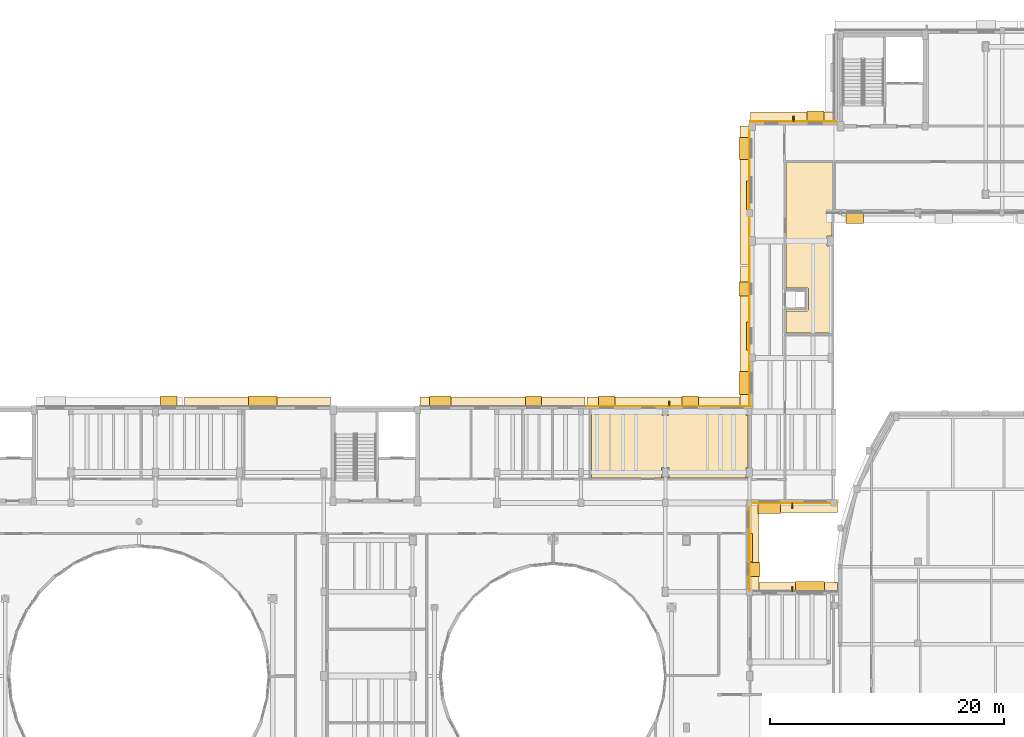
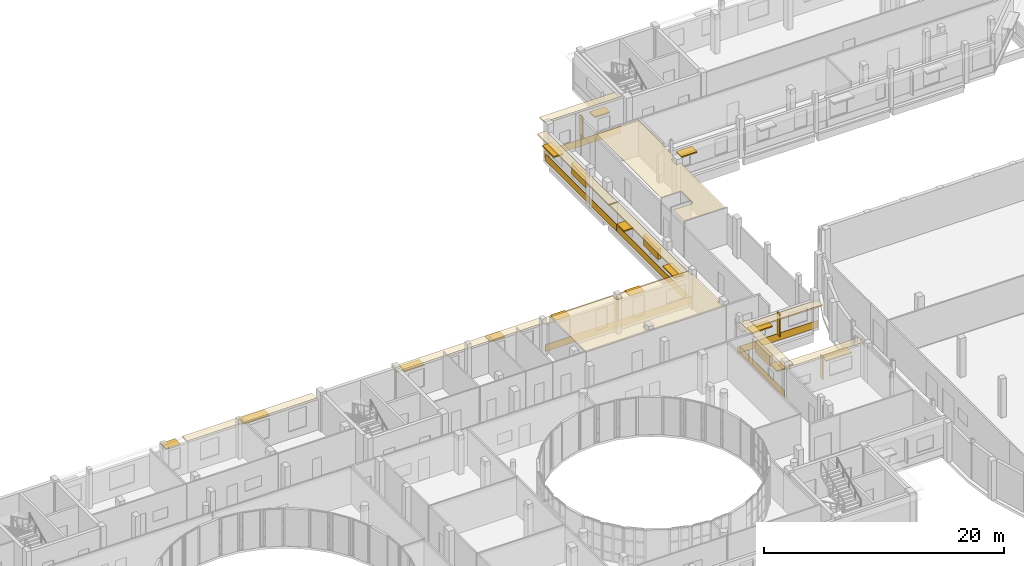
# One storey, part 101 of 105: 21 shading devices, 17 coverings.
"""IFC4 building model written with IfcOpenShell, lengths in metres."""

from ifc_helpers import new_model, si_unit, direction, frame, origin, origin_2d, place, context, subcontext, project, spatial, polyline, rectangle, outline, extrude, material, layer, layer_set, type_object, element, save


model = new_model("IFC4")

# Units and contexts
model_context = context("Model", 3, precision=1e-05, world=origin(), true_north=direction((0.0, 1.0)))
body_context = subcontext(model_context, "Body", "Model", "MODEL_VIEW")
ifc_project = project(units=[si_unit("LENGTHUNIT", "METRE"), si_unit("AREAUNIT", "SQUARE_METRE"), si_unit("VOLUMEUNIT", "CUBIC_METRE"), si_unit("PLANEANGLEUNIT", "RADIAN"), si_unit("MASSUNIT", "GRAM", prefix="KILO")], contexts=[model_context])

# Site, building, storey
site_placement = place(None, origin())
site = spatial("IfcSite", under=ifc_project, at=site_placement, CompositionType="ELEMENT")
building_placement = place(site_placement, origin())
building = spatial("IfcBuilding", under=site, at=building_placement, Name="Kelanivale Promenade Academy", CompositionType="ELEMENT")
storey_placement = place(building_placement, frame((0.0, 0.0, 4.199951171875)))
storey = spatial("IfcBuildingStorey", under=building, at=storey_placement, Name="L01", CompositionType="ELEMENT", Elevation=4.199951171875)

# Coverings
ifc_material_1 = material(Name="Warm ivory Art Deco stucco frieze band 40 mm", Category="masonry")
ifc_layer_1 = layer(ifc_material_1, 0.0400390625)
ifc_layer_set_1 = layer_set([ifc_layer_1], Name="Warm ivory Art Deco stucco frieze band 40 mm")
covering_type_1 = type_object("IfcCoveringType", Name="COV-CLD2 Warm ivory Art Deco stucco frieze ba", PredefinedType="CLADDING", material=ifc_layer_set_1)
covering_1_placement = place(storey_placement, frame((119.260009765625, 64.39990234375, 3.0), z_axis=(0.0, 0.0, 1.0), x_axis=(-1.0, 0.0, 0.0)))
element("IfcCovering", 1, at=covering_1_placement, inside=storey, type_object=covering_type_1, Name="Art Deco projecting 820 mm streamline sunshade eyebrow ledge", PredefinedType="CLADDING", context=body_context, shape_type="SweptSolid", body=[
    extrude(rectangle(XDim=7.719970703125, YDim=0.820068359375, at=origin_2d()), origin(), (0.0, 0.0, 1.0), 0.139892578125),
])
covering_2_placement = place(storey_placement, frame((116.0, 67.800048828125, 3.115234375), z_axis=(0.0, 0.0, 1.0), x_axis=(0.0, 1.0, 0.0)))
element("IfcCovering", 2, at=covering_2_placement, inside=storey, type_object=covering_type_1, Name="Art Deco projecting 820 mm streamline sunshade eyebrow ledge", PredefinedType="CLADDING", context=body_context, shape_type="SweptSolid", body=[
    extrude(rectangle(XDim=7.43994140625, YDim=0.820068359375, at=origin_2d()), origin(), (0.0, 0.0, 1.0), 0.139892578125),
])
covering_3_placement = place(storey_placement, frame((115.614990234375, 67.800048828125, 0.06005859375), z_axis=(0.0, 0.0, 1.0), x_axis=(0.0, 1.0, 0.0)))
element("IfcCovering", 3, at=covering_3_placement, inside=storey, type_object=covering_type_1, Name="Art Deco ivory stucco sill frieze band", PredefinedType="CLADDING", context=body_context, shape_type="SweptSolid", body=[
    extrude(rectangle(XDim=7.43994140625, YDim=0.0400390625, at=origin_2d()), origin(), (0.0, 0.0, 1.0), 0.719970703125),
])
covering_4_placement = place(storey_placement, frame((119.260009765625, 71.199951171875, 2.705078125), z_axis=(0.0, 0.0, 1.0), x_axis=(1.0, 0.0, 0.0)))
element("IfcCovering", 4, at=covering_4_placement, inside=storey, type_object=covering_type_1, Name="Art Deco projecting 820 mm streamline sunshade eyebrow ledge", PredefinedType="CLADDING", context=body_context, shape_type="SweptSolid", body=[
    extrude(rectangle(XDim=7.719970703125, YDim=0.820068359375, at=origin_2d()), origin(), (0.0, 0.0, 1.0), 0.139892578125),
])
covering_5_placement = place(storey_placement, frame((119.260009765625, 71.5849609375, 0.06005859375), z_axis=(0.0, 0.0, 1.0), x_axis=(1.0, 0.0, 0.0)))
element("IfcCovering", 5, at=covering_5_placement, inside=storey, type_object=covering_type_1, Name="Art Deco ivory stucco sill frieze band", PredefinedType="CLADDING", context=body_context, shape_type="SweptSolid", body=[
    extrude(rectangle(XDim=7.719970703125, YDim=0.0400390625, at=origin_2d()), origin(), (0.0, 0.0, 1.0), 0.719970703125),
])
covering_6_placement = place(storey_placement, frame((119.364990234375, 104.60009765625, 3.6201171875), z_axis=(0.0, 0.0, 1.0), x_axis=(-1.0, 0.0, 0.0)))
element("IfcCovering", 6, at=covering_6_placement, inside=storey, type_object=covering_type_1, Name="Art Deco projecting 820 mm streamline sunshade eyebrow ledge", PredefinedType="CLADDING", context=body_context, shape_type="SweptSolid", body=[
    extrude(rectangle(XDim=7.3701171875, YDim=0.820068359375, at=origin_2d()), origin(), (0.0, 0.0, 1.0), 0.139892578125),
])
covering_7_placement = place(storey_placement, frame((119.364990234375, 104.215087890625, 0.06005859375), z_axis=(0.0, 0.0, 1.0), x_axis=(-1.0, 0.0, 0.0)))
element("IfcCovering", 7, at=covering_7_placement, inside=storey, type_object=covering_type_1, Name="Art Deco ivory stucco sill frieze band", PredefinedType="CLADDING", context=body_context, shape_type="SweptSolid", body=[
    extrude(rectangle(XDim=7.3701171875, YDim=0.0400390625, at=origin_2d()), origin(), (0.0, 0.0, 1.0), 0.719970703125),
])
covering_8_placement = place(storey_placement, frame((115.199951171875, 97.903076171875, 2.955078125), z_axis=(0.0, 0.0, 1.0), x_axis=(0.0, -1.0, 0.0)))
element("IfcCovering", 8, at=covering_8_placement, inside=storey, type_object=covering_type_1, Name="Art Deco projecting 820 mm streamline sunshade eyebrow ledge", PredefinedType="CLADDING", context=body_context, shape_type="SweptSolid", body=[
    extrude(rectangle(XDim=11.875, YDim=0.820068359375, at=origin_2d()), origin(), (0.0, 0.0, 1.0), 0.139892578125),
])
covering_9_placement = place(storey_placement, frame((115.5849609375, 97.903076171875, 0.06005859375), z_axis=(0.0, 0.0, 1.0), x_axis=(0.0, -1.0, 0.0)))
element("IfcCovering", 9, at=covering_9_placement, inside=storey, type_object=covering_type_1, Name="Art Deco ivory stucco sill frieze band", PredefinedType="CLADDING", context=body_context, shape_type="SweptSolid", body=[
    extrude(rectangle(XDim=11.875, YDim=0.0400390625, at=origin_2d()), origin(), (0.0, 0.0, 1.0), 0.719970703125),
])
covering_10_placement = place(storey_placement, frame((115.199951171875, 85.867919921875, 3.0048828125), z_axis=(0.0, 0.0, 1.0), x_axis=(0.0, -1.0, 0.0)))
element("IfcCovering", 10, at=covering_10_placement, inside=storey, type_object=covering_type_1, Name="Art Deco projecting 820 mm streamline sunshade eyebrow ledge", PredefinedType="CLADDING", context=body_context, shape_type="SweptSolid", body=[
    extrude(rectangle(XDim=11.875, YDim=0.820068359375, at=origin_2d()), origin(), (0.0, 0.0, 1.0), 0.139892578125),
])
covering_11_placement = place(storey_placement, frame((115.5849609375, 85.867919921875, 0.06005859375), z_axis=(0.0, 0.0, 1.0), x_axis=(0.0, -1.0, 0.0)))
element("IfcCovering", 11, at=covering_11_placement, inside=storey, type_object=covering_type_1, Name="Art Deco ivory stucco sill frieze band", PredefinedType="CLADDING", context=body_context, shape_type="SweptSolid", body=[
    extrude(rectangle(XDim=11.875, YDim=0.0400390625, at=origin_2d()), origin(), (0.0, 0.0, 1.0), 0.719970703125),
])
covering_12_placement = place(storey_placement, frame((108.7509765625, 80.25, 2.76513671875), z_axis=(0.0, 0.0, 1.0), x_axis=(-1.0, 0.0, 0.0)))
element("IfcCovering", 12, at=covering_12_placement, inside=storey, type_object=covering_type_1, Name="Art Deco projecting 820 mm streamline sunshade eyebrow ledge", PredefinedType="CLADDING", context=body_context, shape_type="SweptSolid", body=[
    extrude(rectangle(XDim=14.096923828125, YDim=0.820068359375, at=origin_2d()), origin(), (0.0, 0.0, 1.0), 0.139892578125),
])
covering_13_placement = place(storey_placement, frame((108.7509765625, 79.864990234375, 0.06005859375), z_axis=(0.0, 0.0, 1.0), x_axis=(-1.0, 0.0, 0.0)))
element("IfcCovering", 13, at=covering_13_placement, inside=storey, type_object=covering_type_1, Name="Art Deco ivory stucco sill frieze band", PredefinedType="CLADDING", context=body_context, shape_type="SweptSolid", body=[
    extrude(rectangle(XDim=14.096923828125, YDim=0.0400390625, at=origin_2d()), origin(), (0.0, 0.0, 1.0), 0.719970703125),
])
covering_14_placement = place(storey_placement, frame((94.493896484375, 80.25, 2.9150390625), z_axis=(0.0, 0.0, 1.0), x_axis=(-1.0, 0.0, 0.0)))
element("IfcCovering", 14, at=covering_14_placement, inside=storey, type_object=covering_type_1, Name="Art Deco projecting 820 mm streamline sunshade eyebrow ledge", PredefinedType="CLADDING", context=body_context, shape_type="SweptSolid", body=[
    extrude(rectangle(XDim=14.097900390625, YDim=0.820068359375, at=origin_2d()), origin(), (0.0, 0.0, 1.0), 0.139892578125),
])
covering_15_placement = place(storey_placement, frame((73.51708984375, 80.25, 2.9150390625), z_axis=(0.0, 0.0, 1.0), x_axis=(-1.0, 0.0, 0.0)))
element("IfcCovering", 15, at=covering_15_placement, inside=storey, type_object=covering_type_1, Name="Art Deco projecting 820 mm streamline sunshade eyebrow ledge", PredefinedType="CLADDING", context=body_context, shape_type="SweptSolid", body=[
    extrude(rectangle(XDim=12.47509765625, YDim=0.820068359375, at=origin_2d()), origin(), (0.0, 0.0, 1.0), 0.139892578125),
])
ifc_material_2 = material(Name="Acoustic mineral-fibre ceiling tile 25 mm", Category="gypsum")
ifc_layer_2 = layer(ifc_material_2, 0.02490234375)
ifc_layer_set_2 = layer_set([ifc_layer_2], Name="Acoustic mineral-fibre ceiling tile 25 mm")
covering_type_2 = type_object("IfcCoveringType", Name="COV-CLG1 Acoustic mineral-fibre ceiling tile ", PredefinedType="CEILING", material=ifc_layer_set_2)
covering_16_placement = place(storey_placement, frame((0.0, 0.0, 3.550048828125)))
element("IfcCovering", 16, at=covering_16_placement, inside=storey, type_object=covering_type_2, Name="Junior Classroom North East acoustic suspended ceiling", PredefinedType="CEILING", context=body_context, shape_type="SweptSolid", body=[
    extrude(outline(polyline([(115.489990234375, 73.7099609375), (115.489990234375, 73.764892578125), (115.330078125, 73.764892578125), (115.325927734375, 73.764892578125), (115.322021484375, 73.76611328125), (115.318115234375, 73.76708984375), (115.31494140625, 73.76806640625), (115.31103515625, 73.77001953125), (115.30810546875, 73.77197265625), (115.304931640625, 73.77392578125), (115.302001953125, 73.777099609375), (115.299072265625, 73.780029296875), (115.297119140625, 73.782958984375), (115.294921875, 73.785888671875), (115.29296875, 73.7900390625), (115.2919921875, 73.79296875), (115.291015625, 73.797119140625), (115.2900390625, 73.801025390625), (115.2900390625, 73.804931640625), (115.2900390625, 74.594970703125), (115.2900390625, 74.59912109375), (115.291015625, 74.60302734375), (115.2919921875, 74.60693359375), (115.29296875, 74.610107421875), (115.294921875, 74.614013671875), (115.297119140625, 74.616943359375), (115.299072265625, 74.6201171875), (115.302001953125, 74.623046875), (115.304931640625, 74.6259765625), (115.30810546875, 74.6279296875), (115.31103515625, 74.6298828125), (115.31494140625, 74.632080078125), (115.318115234375, 74.633056640625), (115.322021484375, 74.634033203125), (115.325927734375, 74.635009765625), (115.330078125, 74.635009765625), (115.489990234375, 74.635009765625), (115.489990234375, 79.06494140625), (115.35498046875, 79.06494140625), (115.35107421875, 79.06494140625), (115.346923828125, 79.06591796875), (115.343017578125, 79.06689453125), (115.340087890625, 79.068115234375), (115.3359375, 79.070068359375), (115.3330078125, 79.072021484375), (115.330078125, 79.073974609375), (115.326904296875, 79.076904296875), (115.323974609375, 79.080078125), (115.322021484375, 79.0830078125), (115.320068359375, 79.0859375), (115.318115234375, 79.090087890625), (115.31689453125, 79.093017578125), (115.31591796875, 79.096923828125), (115.31494140625, 79.10107421875), (115.31494140625, 79.10498046875), (115.31494140625, 79.695068359375), (115.31494140625, 79.698974609375), (115.31494140625, 79.699951171875), (108.68505859375, 79.699951171875), (108.68505859375, 79.698974609375), (108.68505859375, 79.695068359375), (108.68505859375, 79.10498046875), (108.68505859375, 79.10107421875), (108.68408203125, 79.096923828125), (108.68310546875, 79.093017578125), (108.681884765625, 79.090087890625), (108.679931640625, 79.0859375), (108.677978515625, 79.0830078125), (108.676025390625, 79.080078125), (108.673095703125, 79.076904296875), (108.669921875, 79.073974609375), (108.6669921875, 79.072021484375), (108.6640625, 79.070068359375), (108.659912109375, 79.068115234375), (108.656982421875, 79.06689453125), (108.653076171875, 79.06591796875), (108.64892578125, 79.06494140625), (108.64501953125, 79.06494140625), (108.155029296875, 79.06494140625), (108.15087890625, 79.06494140625), (108.14697265625, 79.06591796875), (108.14306640625, 79.06689453125), (108.139892578125, 79.068115234375), (108.135986328125, 79.070068359375), (108.133056640625, 79.072021484375), (108.1298828125, 79.073974609375), (108.126953125, 79.076904296875), (108.1240234375, 79.080078125), (108.1220703125, 79.0830078125), (108.1201171875, 79.0859375), (108.117919921875, 79.090087890625), (108.116943359375, 79.093017578125), (108.115966796875, 79.096923828125), (108.114990234375, 79.10107421875), (108.114990234375, 79.10498046875), (108.114990234375, 79.695068359375), (108.114990234375, 79.698974609375), (108.114990234375, 79.699951171875), (102.110107421875, 79.699951171875), (102.110107421875, 73.7099609375), (115.489990234375, 73.7099609375)]), holes=[polyline([(108.7099609375, 73.804931640625), (108.7099609375, 73.801025390625), (108.708984375, 73.797119140625), (108.7080078125, 73.79296875), (108.70703125, 73.7900390625), (108.705078125, 73.785888671875), (108.702880859375, 73.782958984375), (108.700927734375, 73.780029296875), (108.697998046875, 73.777099609375), (108.695068359375, 73.77392578125), (108.69189453125, 73.77197265625), (108.68896484375, 73.77001953125), (108.68505859375, 73.76806640625), (108.681884765625, 73.76708984375), (108.677978515625, 73.76611328125), (108.674072265625, 73.764892578125), (108.669921875, 73.764892578125), (108.1298828125, 73.764892578125), (108.1259765625, 73.764892578125), (108.1220703125, 73.76611328125), (108.117919921875, 73.76708984375), (108.114990234375, 73.76806640625), (108.111083984375, 73.77001953125), (108.10791015625, 73.77197265625), (108.10498046875, 73.77392578125), (108.10205078125, 73.777099609375), (108.09912109375, 73.780029296875), (108.096923828125, 73.782958984375), (108.094970703125, 73.785888671875), (108.093017578125, 73.7900390625), (108.092041015625, 73.79296875), (108.091064453125, 73.797119140625), (108.090087890625, 73.801025390625), (108.090087890625, 73.804931640625), (108.090087890625, 74.594970703125), (108.090087890625, 74.59912109375), (108.091064453125, 74.60302734375), (108.092041015625, 74.60693359375), (108.093017578125, 74.610107421875), (108.094970703125, 74.614013671875), (108.096923828125, 74.616943359375), (108.09912109375, 74.6201171875), (108.10205078125, 74.623046875), (108.10498046875, 74.6259765625), (108.10791015625, 74.6279296875), (108.111083984375, 74.6298828125), (108.114990234375, 74.632080078125), (108.117919921875, 74.633056640625), (108.1220703125, 74.634033203125), (108.1259765625, 74.635009765625), (108.1298828125, 74.635009765625), (108.669921875, 74.635009765625), (108.674072265625, 74.635009765625), (108.677978515625, 74.634033203125), (108.681884765625, 74.633056640625), (108.68505859375, 74.632080078125), (108.68896484375, 74.6298828125), (108.69189453125, 74.6279296875), (108.695068359375, 74.6259765625), (108.697998046875, 74.623046875), (108.700927734375, 74.6201171875), (108.702880859375, 74.616943359375), (108.705078125, 74.614013671875), (108.70703125, 74.610107421875), (108.7080078125, 74.60693359375), (108.708984375, 74.60302734375), (108.7099609375, 74.59912109375), (108.7099609375, 74.594970703125), (108.7099609375, 73.804931640625)])]), origin(), (0.0, 0.0, 1.0), 0.02490234375),
])
covering_17_placement = place(storey_placement, frame((0.0, 0.0, 3.550048828125)))
element("IfcCovering", 17, at=covering_17_placement, inside=storey, type_object=covering_type_2, Name="Laboratory Instrument Studio acoustic suspended ceiling", PredefinedType="CEILING", context=body_context, shape_type="SweptSolid", body=[
    extrude(outline(polyline([(122.64990234375, 96.35009765625), (122.64990234375, 96.35693359375), (122.65087890625, 96.368896484375), (122.65087890625, 96.368896484375), (122.652099609375, 96.3798828125), (122.653076171875, 96.385986328125), (122.654052734375, 96.39208984375), (122.656982421875, 96.404052734375), (122.659912109375, 96.412109375), (122.6640625, 96.423095703125), (122.666015625, 96.428955078125), (122.6708984375, 96.43994140625), (122.675048828125, 96.447998046875), (122.680908203125, 96.4580078125), (122.68701171875, 96.466064453125), (122.68994140625, 96.469970703125), (122.68994140625, 100.68994140625), (118.7099609375, 100.68994140625), (118.7099609375, 89.989990234375), (120.506103515625, 89.989990234375), (120.512939453125, 89.989990234375), (120.51904296875, 89.989013671875), (120.52490234375, 89.988037109375), (120.533935546875, 89.986083984375), (120.5419921875, 89.98291015625), (120.544921875, 89.98193359375), (120.548095703125, 89.98095703125), (120.552978515625, 89.97900390625), (120.55810546875, 89.97705078125), (120.56396484375, 89.97509765625), (120.569091796875, 89.971923828125), (120.573974609375, 89.968994140625), (120.5830078125, 89.9619140625), (120.587890625, 89.9580078125), (120.594970703125, 89.952880859375), (120.59912109375, 89.948974609375), (120.60302734375, 89.945068359375), (120.60791015625, 89.93798828125), (120.612060546875, 89.93310546875), (120.618896484375, 89.924072265625), (120.6220703125, 89.9189453125), (120.625, 89.9140625), (120.626953125, 89.907958984375), (120.62890625, 89.903076171875), (120.631103515625, 89.89794921875), (120.632080078125, 89.89501953125), (120.633056640625, 89.89208984375), (120.635986328125, 89.884033203125), (120.637939453125, 89.875), (120.638916015625, 89.868896484375), (120.639892578125, 89.863037109375), (120.639892578125, 89.85595703125), (120.639892578125, 88.14404296875), (120.639892578125, 88.136962890625), (120.638916015625, 88.131103515625), (120.637939453125, 88.125), (120.635986328125, 88.115966796875), (120.633056640625, 88.10791015625), (120.632080078125, 88.10498046875), (120.631103515625, 88.10205078125), (120.62890625, 88.096923828125), (120.626953125, 88.092041015625), (120.625, 88.0859375), (120.6220703125, 88.0810546875), (120.618896484375, 88.075927734375), (120.612060546875, 88.06689453125), (120.60791015625, 88.06201171875), (120.60302734375, 88.054931640625), (120.59912109375, 88.051025390625), (120.594970703125, 88.047119140625), (120.587890625, 88.0419921875), (120.5830078125, 88.0380859375), (120.573974609375, 88.031005859375), (120.569091796875, 88.028076171875), (120.56396484375, 88.02490234375), (120.55810546875, 88.02294921875), (120.552978515625, 88.02099609375), (120.548095703125, 88.01904296875), (120.544921875, 88.01806640625), (120.5419921875, 88.01708984375), (120.533935546875, 88.013916015625), (120.52490234375, 88.011962890625), (120.51904296875, 88.010986328125), (120.512939453125, 88.010009765625), (120.506103515625, 88.010009765625), (118.7099609375, 88.010009765625), (118.7099609375, 86.110107421875), (122.64990234375, 86.110107421875), (122.64990234375, 93.56494140625), (122.2548828125, 93.56494140625), (122.2509765625, 93.56494140625), (122.2470703125, 93.56591796875), (122.242919921875, 93.56689453125), (122.239990234375, 93.568115234375), (122.236083984375, 93.570068359375), (122.23291015625, 93.572021484375), (122.22998046875, 93.573974609375), (122.22705078125, 93.576904296875), (122.22412109375, 93.580078125), (122.221923828125, 93.5830078125), (122.219970703125, 93.5859375), (122.218017578125, 93.590087890625), (122.217041015625, 93.593017578125), (122.216064453125, 93.596923828125), (122.215087890625, 93.60107421875), (122.215087890625, 93.60498046875), (122.215087890625, 94.39501953125), (122.215087890625, 94.39892578125), (122.216064453125, 94.403076171875), (122.217041015625, 94.406982421875), (122.218017578125, 94.409912109375), (122.219970703125, 94.4140625), (122.221923828125, 94.4169921875), (122.22412109375, 94.419921875), (122.22705078125, 94.423095703125), (122.22998046875, 94.426025390625), (122.23291015625, 94.427978515625), (122.236083984375, 94.429931640625), (122.239990234375, 94.431884765625), (122.242919921875, 94.43310546875), (122.2470703125, 94.43408203125), (122.2509765625, 94.43505859375), (122.2548828125, 94.43505859375), (122.64990234375, 94.43505859375), (122.64990234375, 96.35009765625)])), origin(), (0.0, 0.0, 1.0), 0.02490234375),
])

# Shading devices
ifc_material_3 = material(Name="Precast concrete C40/50", Category="concrete")
ifc_layer_3 = layer(ifc_material_3, 0.1201171875)
ifc_layer_set_3 = layer_set([ifc_layer_3], Name="Precast concrete C40/50")
shading_device_type_1 = type_object("IfcShadingDeviceType", Name="SHD-01 Art Deco Sunshade Eyebrow 900mm", PredefinedType="USERDEFINED", material=ifc_layer_set_3)
shading_device_1_placement = place(storey_placement, frame((120.780029296875, 64.43994140625, 2.409912109375), z_axis=(0.0, 0.0, 1.0), x_axis=(-1.0, 0.0, 0.0)))
element("IfcShadingDevice", 18, at=shading_device_1_placement, inside=storey, type_object=shading_device_type_1, Name="Art Deco 900 mm precast chajja window sunshade", ObjectType="SUNSHADE", PredefinedType="USERDEFINED", context=body_context, shape_type="SweptSolid", body=[
    extrude(rectangle(XDim=2.5, YDim=0.89990234375, at=origin_2d()), origin(), (0.0, 0.0, 1.0), 0.1201171875),
])
shading_device_2_placement = place(storey_placement, frame((116.0400390625, 65.89990234375, 1.9599609375), z_axis=(0.0, 0.0, 1.0), x_axis=(0.0, 1.0, 0.0)))
element("IfcShadingDevice", 19, at=shading_device_2_placement, inside=storey, type_object=shading_device_type_1, Name="Art Deco 900 mm precast chajja window sunshade", ObjectType="SUNSHADE", PredefinedType="USERDEFINED", context=body_context, shape_type="SweptSolid", body=[
    extrude(rectangle(XDim=1.199951171875, YDim=0.89990234375, at=origin_2d()), origin(), (0.0, 0.0, 1.0), 0.1201171875),
])
shading_device_3_placement = place(storey_placement, frame((117.2900390625, 71.159912109375, 2.31005859375), z_axis=(0.0, 0.0, 1.0), x_axis=(1.0, 0.0, 0.0)))
element("IfcShadingDevice", 20, at=shading_device_3_placement, inside=storey, type_object=shading_device_type_1, Name="Art Deco 900 mm precast chajja window sunshade", ObjectType="SUNSHADE", PredefinedType="USERDEFINED", context=body_context, shape_type="SweptSolid", body=[
    extrude(rectangle(XDim=1.949951171875, YDim=0.89990234375, at=origin_2d()), origin(), (0.0, 0.0, 1.0), 0.1201171875),
])
shading_device_4_placement = place(storey_placement, frame((124.590087890625, 95.9599609375, 2.510009765625), z_axis=(0.0, 0.0, 1.0), x_axis=(1.0, 0.0, 0.0)))
element("IfcShadingDevice", 21, at=shading_device_4_placement, inside=storey, type_object=shading_device_type_1, Name="Art Deco 900 mm precast chajja window sunshade", ObjectType="SUNSHADE", PredefinedType="USERDEFINED", context=body_context, shape_type="SweptSolid", body=[
    extrude(rectangle(XDim=1.5, YDim=0.89990234375, at=origin_2d()), origin(), (0.0, 0.0, 1.0), 0.1201171875),
])
shading_device_5_placement = place(storey_placement, frame((121.2470703125, 104.639892578125, 2.4599609375), z_axis=(0.0, 0.0, 1.0), x_axis=(-1.0, 0.0, 0.0)))
element("IfcShadingDevice", 22, at=shading_device_5_placement, inside=storey, type_object=shading_device_type_1, Name="Art Deco 900 mm precast chajja window sunshade", ObjectType="SUNSHADE", PredefinedType="USERDEFINED", context=body_context, shape_type="SweptSolid", body=[
    extrude(rectangle(XDim=1.449951171875, YDim=0.89990234375, at=origin_2d()), origin(), (0.0, 0.0, 1.0), 0.1201171875),
])
shading_device_6_placement = place(storey_placement, frame((115.159912109375, 101.9140625, 2.409912109375), z_axis=(0.0, 0.0, 1.0), x_axis=(0.0, -1.0, 0.0)))
element("IfcShadingDevice", 23, at=shading_device_6_placement, inside=storey, type_object=shading_device_type_1, Name="Art Deco 900 mm precast chajja window sunshade", ObjectType="SUNSHADE", PredefinedType="USERDEFINED", context=body_context, shape_type="SweptSolid", body=[
    extrude(rectangle(XDim=1.89990234375, YDim=0.89990234375, at=origin_2d()), origin(), (0.0, 0.0, 1.0), 0.1201171875),
])
shading_device_7_placement = place(storey_placement, frame((115.159912109375, 89.87890625, 1.9599609375), z_axis=(0.0, 0.0, 1.0), x_axis=(0.0, -1.0, 0.0)))
element("IfcShadingDevice", 24, at=shading_device_7_placement, inside=storey, type_object=shading_device_type_1, Name="Art Deco 900 mm precast chajja window sunshade", ObjectType="SUNSHADE", PredefinedType="USERDEFINED", context=body_context, shape_type="SweptSolid", body=[
    extrude(rectangle(XDim=1.199951171875, YDim=0.89990234375, at=origin_2d()), origin(), (0.0, 0.0, 1.0), 0.1201171875),
])
shading_device_8_placement = place(storey_placement, frame((115.159912109375, 81.85595703125, 2.31005859375), z_axis=(0.0, 0.0, 1.0), x_axis=(0.0, -1.0, 0.0)))
element("IfcShadingDevice", 25, at=shading_device_8_placement, inside=storey, type_object=shading_device_type_1, Name="Art Deco 900 mm precast chajja window sunshade", ObjectType="SUNSHADE", PredefinedType="USERDEFINED", context=body_context, shape_type="SweptSolid", body=[
    extrude(rectangle(XDim=1.949951171875, YDim=0.89990234375, at=origin_2d()), origin(), (0.0, 0.0, 1.0), 0.1201171875),
])
for number, where, z_axis, x_axis, name in (
    (26, (110.533935546875, 80.2900390625, 2.794921875), (0.0, 0.0, 1.0), (-1.0, 0.0, 0.0), "Art Deco 900 mm precast chajja window sunshade"),
    (27, (103.405029296875, 80.2900390625, 2.794921875), (0.0, 0.0, 1.0), (-1.0, 0.0, 0.0), "Art Deco 900 mm precast chajja window sunshade"),
    (28, (97.1259765625, 80.2900390625, 2.860107421875), (0.0, 0.0, 1.0), (-1.0, 0.0, 0.0), "Art Deco 900 mm precast chajja window sunshade"),
):
    element("IfcShadingDevice", number, at=place(storey_placement, frame(where, z_axis=z_axis, x_axis=x_axis)), inside=storey, type_object=shading_device_type_1, Name=name, ObjectType="SUNSHADE", PredefinedType="USERDEFINED", context=body_context, shape_type="SweptSolid", body=[
        extrude(rectangle(XDim=1.39990234375, YDim=0.89990234375, at=origin_2d()), origin(), (0.0, 0.0, 1.0), 0.1201171875),
    ])
shading_device_9_placement = place(storey_placement, frame((89.14697265625, 80.2900390625, 2.7099609375), z_axis=(0.0, 0.0, 1.0), x_axis=(-1.0, 0.0, 0.0)))
element("IfcShadingDevice", 29, at=shading_device_9_placement, inside=storey, type_object=shading_device_type_1, Name="Art Deco 900 mm precast chajja window sunshade", ObjectType="SUNSHADE", PredefinedType="USERDEFINED", context=body_context, shape_type="SweptSolid", body=[
    extrude(rectangle(XDim=1.85009765625, YDim=0.89990234375, at=origin_2d()), origin(), (0.0, 0.0, 1.0), 0.1201171875),
])
shading_device_10_placement = place(storey_placement, frame((73.968017578125, 80.2900390625, 2.81005859375), z_axis=(0.0, 0.0, 1.0), x_axis=(-1.0, 0.0, 0.0)))
element("IfcShadingDevice", 30, at=shading_device_10_placement, inside=storey, type_object=shading_device_type_1, Name="Art Deco 900 mm precast chajja window sunshade", ObjectType="SUNSHADE", PredefinedType="USERDEFINED", context=body_context, shape_type="SweptSolid", body=[
    extrude(rectangle(XDim=2.449951171875, YDim=0.89990234375, at=origin_2d()), origin(), (0.0, 0.0, 1.0), 0.1201171875),
])
shading_device_11_placement = place(storey_placement, frame((65.944091796875, 80.2900390625, 2.860107421875), z_axis=(0.0, 0.0, 1.0), x_axis=(-1.0, 0.0, 0.0)))
element("IfcShadingDevice", 31, at=shading_device_11_placement, inside=storey, type_object=shading_device_type_1, Name="Art Deco 900 mm precast chajja window sunshade", ObjectType="SUNSHADE", PredefinedType="USERDEFINED", context=body_context, shape_type="SweptSolid", body=[
    extrude(rectangle(XDim=1.39990234375, YDim=0.89990234375, at=origin_2d()), origin(), (0.0, 0.0, 1.0), 0.1201171875),
])
ifc_material_4 = material(Name="Bronze anodised aluminium EN AW-6063 T6", Category="aluminium")
ifc_layer_4 = layer(ifc_material_4, 0.080078125)
ifc_layer_set_4 = layer_set([ifc_layer_4], Name="Bronze anodised aluminium EN AW-6063 T6")
shading_device_type_2 = type_object("IfcShadingDeviceType", Name="SHD-02 Perforated Brise-Soleil Screen", PredefinedType="JALOUSIE", material=ifc_layer_set_4)
for number, where, z_axis, x_axis, name in (
    (32, (115.735107421875, 67.800048828125, 1.72509765625), (0.0, 0.0, 1.0), (0.0, 1.0, 0.0), "Perforated Art Deco brise-soleil louvre screen"),
    (33, (115.465087890625, 97.903076171875, 1.72509765625), (0.0, 0.0, 1.0), (0.0, -1.0, 0.0), "Perforated Art Deco brise-soleil louvre screen"),
    (34, (115.465087890625, 85.867919921875, 1.72509765625), (0.0, 0.0, 1.0), (0.0, -1.0, 0.0), "Perforated Art Deco brise-soleil louvre screen"),
):
    element("IfcShadingDevice", number, at=place(storey_placement, frame(where, z_axis=z_axis, x_axis=x_axis)), inside=storey, type_object=shading_device_type_2, Name=name, PredefinedType="JALOUSIE", context=body_context, shape_type="SweptSolid", body=[
        extrude(rectangle(XDim=2.39990234375, YDim=0.280029296875, at=origin_2d()), origin(), (0.0, 0.0, 1.0), 1.050048828125),
    ])
ifc_layer_5 = layer(ifc_material_4, 0.10009765625)
ifc_layer_set_5 = layer_set([ifc_layer_5], Name="Bronze anodised aluminium EN AW-6063 T6")
shading_device_type_3 = type_object("IfcShadingDeviceType", Name="SHD-03 Vertical Fluted Solar Fin", PredefinedType="USERDEFINED", material=ifc_layer_set_5)
for number, where, z_axis, x_axis, name in (
    (35, (119.260009765625, 64.219970703125, 0.7001953125), (0.0, 0.0, 1.0), (-1.0, 0.0, 0.0), "Vertical fluted Art Deco solar fin"),
    (36, (119.260009765625, 71.3798828125, 0.7001953125), (0.0, 0.0, 1.0), (1.0, 0.0, 0.0), "Vertical fluted Art Deco solar fin"),
    (37, (119.364990234375, 104.419921875, 0.7001953125), (0.0, 0.0, 1.0), (-1.0, 0.0, 0.0), "Vertical fluted Art Deco solar fin"),
    (38, (108.7509765625, 80.070068359375, 0.7001953125), (0.0, 0.0, 1.0), (-1.0, 0.0, 0.0), "Vertical fluted Art Deco solar fin"),
):
    element("IfcShadingDevice", number, at=place(storey_placement, frame(where, z_axis=z_axis, x_axis=x_axis)), inside=storey, type_object=shading_device_type_3, Name=name, ObjectType="SOLAR FIN", PredefinedType="USERDEFINED", context=body_context, shape_type="SweptSolid", body=[
        extrude(rectangle(XDim=0.10009765625, YDim=0.449951171875, at=origin_2d()), origin(), (0.0, 0.0, 1.0), 2.300048828125),
    ])

save(model, "model.ifc")
